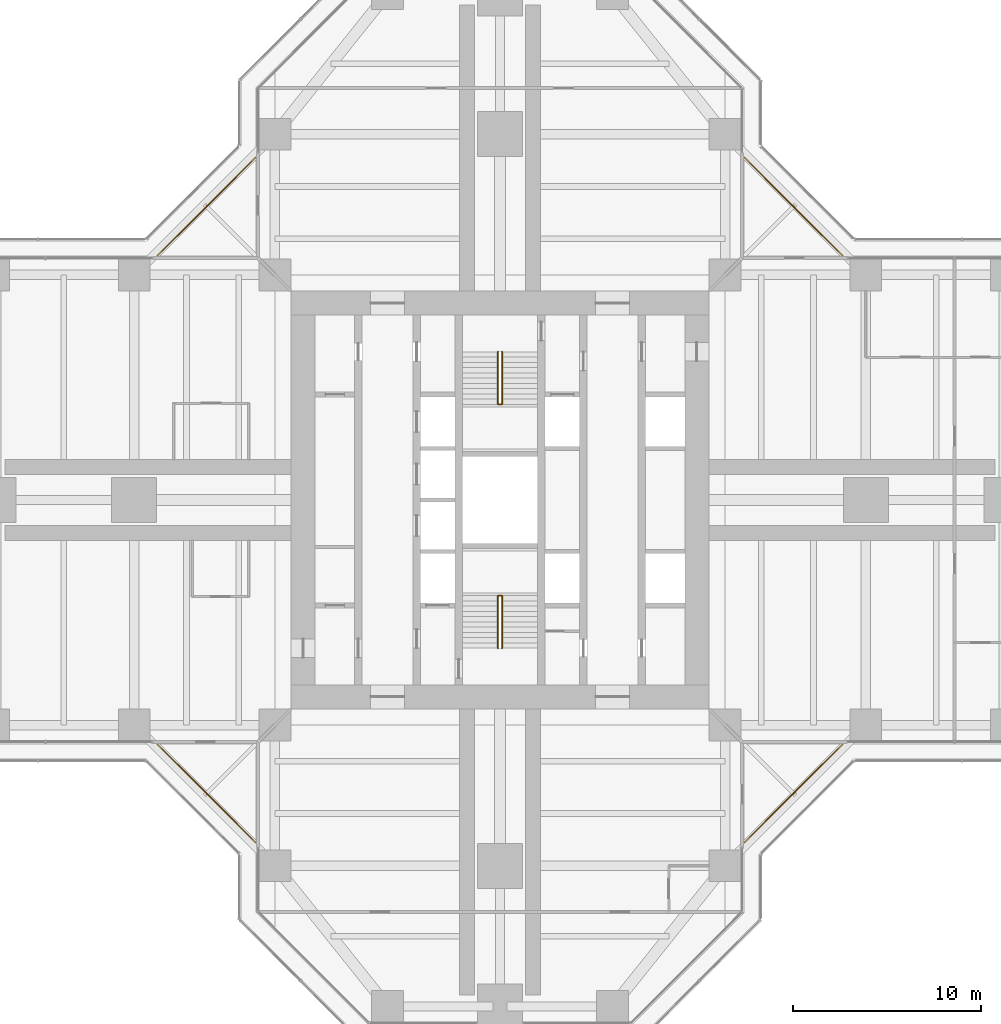
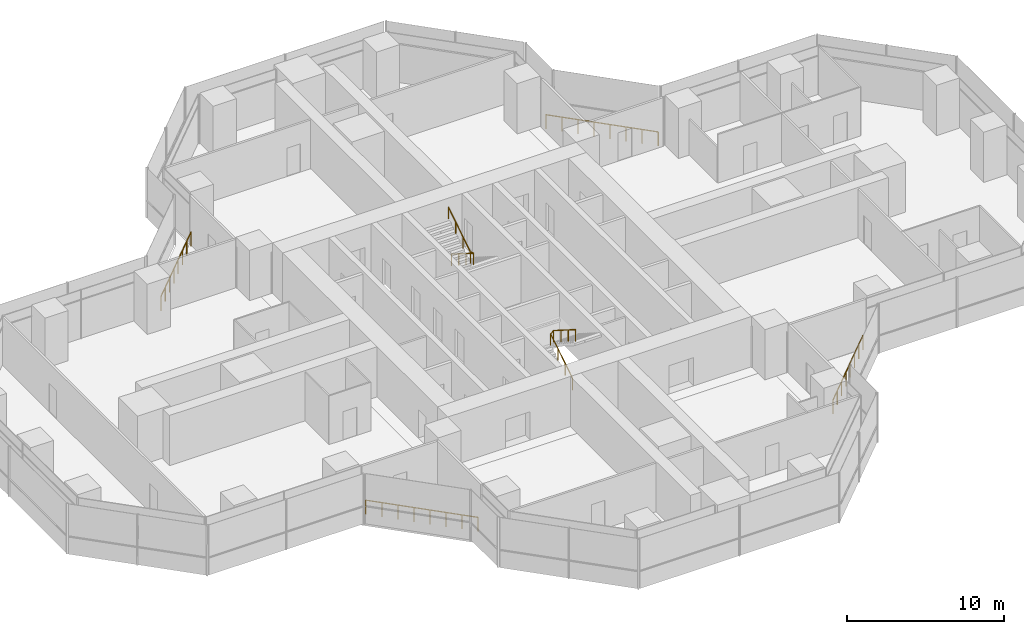
# One storey, part 19 of 19: 6 railings.
"""IFC4 building model written with IfcOpenShell, lengths in metres."""

from ifc_helpers import new_model, si_unit, direction, frame, origin, origin_2d, place, context, subcontext, project, spatial, circle, extrude, material, type_object, element, save


model = new_model("IFC4")

# Units and contexts
model_context = context("Model", 3, precision=1e-05, world=origin(), true_north=direction((0.0, 1.0)))
body_context = subcontext(model_context, "Body", "Model", "MODEL_VIEW")
ifc_project = project(units=[si_unit("LENGTHUNIT", "METRE"), si_unit("AREAUNIT", "SQUARE_METRE"), si_unit("VOLUMEUNIT", "CUBIC_METRE"), si_unit("PLANEANGLEUNIT", "RADIAN"), si_unit("MASSUNIT", "GRAM", prefix="KILO")], contexts=[model_context])

# Site, building, storey
site_placement = place(None, origin())
site = spatial("IfcSite", under=ifc_project, at=site_placement, CompositionType="ELEMENT")
building_placement = place(site_placement, origin())
building = spatial("IfcBuilding", under=site, at=building_placement, Name="Mizan Broadcast Tower", CompositionType="ELEMENT")
storey_placement = place(building_placement, frame((0.0, 0.0, 128.10009765625)))
storey = spatial("IfcBuildingStorey", under=building, at=storey_placement, Name="L28", CompositionType="ELEMENT", Elevation=128.10009765625)

# Railings
ifc_material_1 = material(Name="Stainless steel and glass guard", Category="steel")
railing_type_1 = type_object("IfcRailingType", Name="GUARD 1100", PredefinedType="GUARDRAIL", material=ifc_material_1)
railing_1_placement = place(storey_placement, frame((18.2578125, 13.030029296875, 0.0)))
element("IfcRailing", 1, at=railing_1_placement, inside=storey, type_object=railing_type_1, Name="Winter garden guard L28 E", PredefinedType="GUARDRAIL", context=body_context, shape_type="SweptSolid", body=[
    extrude(circle(Radius=0.02392578125, at=origin_2d()), frame((0.0, 0.0, 1.076171875), z_axis=(-0.707106781187, 0.707106781187, 0.0), x_axis=(-0.707106781187, -0.707106781187, 0.0)), (0.0, 0.0, 1.0), 7.393310546875),
    extrude(circle(Radius=0.02099609375, at=origin_2d()), origin(), (0.0, 0.0, 1.0), 1.052001953125),
    extrude(circle(Radius=0.02099609375, at=origin_2d()), frame((-0.746826171875, 0.746826171875, 0.0)), (0.0, 0.0, 1.0), 1.052001953125),
    extrude(circle(Radius=0.02099609375, at=origin_2d()), frame((-1.49365234375, 1.49365234375, 0.0)), (0.0, 0.0, 1.0), 1.052001953125),
    extrude(circle(Radius=0.02099609375, at=origin_2d()), frame((-2.240478515625, 2.240478515625, 0.0)), (0.0, 0.0, 1.0), 1.052001953125),
    extrude(circle(Radius=0.02099609375, at=origin_2d()), frame((-2.9873046875, 2.9873046875, 0.0)), (0.0, 0.0, 1.0), 1.052001953125),
    extrude(circle(Radius=0.02099609375, at=origin_2d()), frame((-3.734130859375, 3.734130859375, 0.0)), (0.0, 0.0, 1.0), 1.052001953125),
    extrude(circle(Radius=0.02099609375, at=origin_2d()), frame((-4.48095703125, 4.48095703125, 0.0)), (0.0, 0.0, 1.0), 1.052001953125),
    extrude(circle(Radius=0.02099609375, at=origin_2d()), frame((-5.227783203125, 5.227783203125, 0.0)), (0.0, 0.0, 1.0), 1.052001953125),
])
railing_2_placement = place(storey_placement, frame((-13.030029296875, 18.2578125, 0.0)))
element("IfcRailing", 2, at=railing_2_placement, inside=storey, type_object=railing_type_1, Name="Winter garden guard L28 N", PredefinedType="GUARDRAIL", context=body_context, shape_type="SweptSolid", body=[
    extrude(circle(Radius=0.02392578125, at=origin_2d()), frame((0.0, 0.0, 1.076171875), z_axis=(-0.707106781187, -0.707106781187, 0.0), x_axis=(0.707106781187, -0.707106781187, 0.0)), (0.0, 0.0, 1.0), 7.393310546875),
    extrude(circle(Radius=0.02099609375, at=origin_2d()), origin(), (0.0, 0.0, 1.0), 1.052001953125),
    extrude(circle(Radius=0.02099609375, at=origin_2d()), frame((-0.746826171875, -0.746826171875, 0.0)), (0.0, 0.0, 1.0), 1.052001953125),
    extrude(circle(Radius=0.02099609375, at=origin_2d()), frame((-1.49365234375, -1.49365234375, 0.0)), (0.0, 0.0, 1.0), 1.052001953125),
    extrude(circle(Radius=0.02099609375, at=origin_2d()), frame((-2.240478515625, -2.240478515625, 0.0)), (0.0, 0.0, 1.0), 1.052001953125),
    extrude(circle(Radius=0.02099609375, at=origin_2d()), frame((-2.9873046875, -2.9873046875, 0.0)), (0.0, 0.0, 1.0), 1.052001953125),
    extrude(circle(Radius=0.02099609375, at=origin_2d()), frame((-3.734130859375, -3.734130859375, 0.0)), (0.0, 0.0, 1.0), 1.052001953125),
    extrude(circle(Radius=0.02099609375, at=origin_2d()), frame((-4.48095703125, -4.48095703125, 0.0)), (0.0, 0.0, 1.0), 1.052001953125),
    extrude(circle(Radius=0.02099609375, at=origin_2d()), frame((-5.227783203125, -5.227783203125, 0.0)), (0.0, 0.0, 1.0), 1.052001953125),
])
railing_3_placement = place(storey_placement, frame((-18.2578125, -13.030029296875, 0.0)))
element("IfcRailing", 3, at=railing_3_placement, inside=storey, type_object=railing_type_1, Name="Winter garden guard L28 W", PredefinedType="GUARDRAIL", context=body_context, shape_type="SweptSolid", body=[
    extrude(circle(Radius=0.02392578125, at=origin_2d()), frame((0.0, 0.0, 1.076171875), z_axis=(0.707106781187, -0.707106781187, 0.0), x_axis=(0.707106781187, 0.707106781187, 0.0)), (0.0, 0.0, 1.0), 7.393310546875),
    extrude(circle(Radius=0.02099609375, at=origin_2d()), origin(), (0.0, 0.0, 1.0), 1.052001953125),
    extrude(circle(Radius=0.02099609375, at=origin_2d()), frame((0.746826171875, -0.746826171875, 0.0)), (0.0, 0.0, 1.0), 1.052001953125),
    extrude(circle(Radius=0.02099609375, at=origin_2d()), frame((1.49365234375, -1.49365234375, 0.0)), (0.0, 0.0, 1.0), 1.052001953125),
    extrude(circle(Radius=0.02099609375, at=origin_2d()), frame((2.240478515625, -2.240478515625, 0.0)), (0.0, 0.0, 1.0), 1.052001953125),
    extrude(circle(Radius=0.02099609375, at=origin_2d()), frame((2.9873046875, -2.9873046875, 0.0)), (0.0, 0.0, 1.0), 1.052001953125),
    extrude(circle(Radius=0.02099609375, at=origin_2d()), frame((3.734130859375, -3.734130859375, 0.0)), (0.0, 0.0, 1.0), 1.052001953125),
    extrude(circle(Radius=0.02099609375, at=origin_2d()), frame((4.48095703125, -4.48095703125, 0.0)), (0.0, 0.0, 1.0), 1.052001953125),
    extrude(circle(Radius=0.02099609375, at=origin_2d()), frame((5.227783203125, -5.227783203125, 0.0)), (0.0, 0.0, 1.0), 1.052001953125),
])
railing_4_placement = place(storey_placement, frame((13.030029296875, -18.2578125, 0.0)))
element("IfcRailing", 4, at=railing_4_placement, inside=storey, type_object=railing_type_1, Name="Winter garden guard L28 S", PredefinedType="GUARDRAIL", context=body_context, shape_type="SweptSolid", body=[
    extrude(circle(Radius=0.02392578125, at=origin_2d()), frame((0.0, 0.0, 1.076171875), z_axis=(0.707106781187, 0.707106781187, 0.0), x_axis=(-0.707106781187, 0.707106781187, 0.0)), (0.0, 0.0, 1.0), 7.393310546875),
    extrude(circle(Radius=0.02099609375, at=origin_2d()), origin(), (0.0, 0.0, 1.0), 1.052001953125),
    extrude(circle(Radius=0.02099609375, at=origin_2d()), frame((0.746826171875, 0.746826171875, 0.0)), (0.0, 0.0, 1.0), 1.052001953125),
    extrude(circle(Radius=0.02099609375, at=origin_2d()), frame((1.49365234375, 1.49365234375, 0.0)), (0.0, 0.0, 1.0), 1.052001953125),
    extrude(circle(Radius=0.02099609375, at=origin_2d()), frame((2.240478515625, 2.240478515625, 0.0)), (0.0, 0.0, 1.0), 1.052001953125),
    extrude(circle(Radius=0.02099609375, at=origin_2d()), frame((2.9873046875, 2.9873046875, 0.0)), (0.0, 0.0, 1.0), 1.052001953125),
    extrude(circle(Radius=0.02099609375, at=origin_2d()), frame((3.734130859375, 3.734130859375, 0.0)), (0.0, 0.0, 1.0), 1.052001953125),
    extrude(circle(Radius=0.02099609375, at=origin_2d()), frame((4.48095703125, 4.48095703125, 0.0)), (0.0, 0.0, 1.0), 1.052001953125),
    extrude(circle(Radius=0.02099609375, at=origin_2d()), frame((5.227783203125, 5.227783203125, 0.0)), (0.0, 0.0, 1.0), 1.052001953125),
])
ifc_material_2 = material(Name="Stainless steel", Category="steel")
railing_type_2 = type_object("IfcRailingType", Name="HANDRAIL 50", PredefinedType="HANDRAIL", material=ifc_material_2)
railing_5_placement = place(storey_placement, frame((-0.110107421875, -7.89990234375, 0.17724609375)))
element("IfcRailing", 5, at=railing_5_placement, inside=storey, type_object=railing_type_2, Name="Stair A handrail", PredefinedType="HANDRAIL", context=body_context, shape_type="SweptSolid", body=[
    extrude(circle(Radius=0.02392578125, at=origin_2d()), frame((0.0, 0.0, 0.8759765625), z_axis=(0.0, 0.844887892834, 0.53494340686), x_axis=(-1.0, 0.0, 0.0)), (0.0, 0.0, 1.0), 3.313720703125),
    extrude(circle(Radius=0.02392578125, at=origin_2d()), frame((0.0, 2.7998046875, 2.6484375), z_axis=(0.779011685263, 0.0, 0.627009405212), x_axis=(0.0, 1.0, 0.0)), (0.0, 0.0, 1.0), 0.28271484375),
    extrude(circle(Radius=0.02392578125, at=origin_2d()), frame((0.22021484375, 2.7998046875, 2.82568359375), z_axis=(0.0, -0.844887892834, 0.53494340686), x_axis=(1.0, 0.0, 0.0)), (0.0, 0.0, 1.0), 3.313720703125),
    extrude(circle(Radius=0.02099609375, at=origin_2d()), origin(), (0.0, 0.0, 1.0), 0.851806640625),
    extrude(circle(Radius=0.02099609375, at=origin_2d()), frame((0.0, 0.933349609375, 0.5908203125)), (0.0, 0.0, 1.0), 0.851806640625),
    extrude(circle(Radius=0.02099609375, at=origin_2d()), frame((0.0, 1.866455078125, 1.181884765625)), (0.0, 0.0, 1.0), 0.851806640625),
    extrude(circle(Radius=0.02099609375, at=origin_2d()), frame((0.0, 2.7998046875, 1.772705078125)), (0.0, 0.0, 1.0), 0.851806640625),
    extrude(circle(Radius=0.02099609375, at=origin_2d()), frame((0.22021484375, 2.7998046875, 1.949951171875)), (0.0, 0.0, 1.0), 0.851806640625),
    extrude(circle(Radius=0.02099609375, at=origin_2d()), frame((0.22021484375, 1.866455078125, 2.540771484375)), (0.0, 0.0, 1.0), 0.851806640625),
    extrude(circle(Radius=0.02099609375, at=origin_2d()), frame((0.22021484375, 0.933349609375, 3.1318359375)), (0.0, 0.0, 1.0), 0.851806640625),
    extrude(circle(Radius=0.02099609375, at=origin_2d()), frame((0.22021484375, 0.0, 3.72265625)), (0.0, 0.0, 1.0), 0.851806640625),
])
railing_6_placement = place(storey_placement, frame((0.110107421875, 7.89990234375, 0.17724609375)))
element("IfcRailing", 6, at=railing_6_placement, inside=storey, type_object=railing_type_2, Name="Stair B handrail", PredefinedType="HANDRAIL", context=body_context, shape_type="SweptSolid", body=[
    extrude(circle(Radius=0.02392578125, at=origin_2d()), frame((0.0, 0.0, 0.8759765625), z_axis=(0.0, -0.844887892834, 0.53494340686), x_axis=(1.0, 0.0, 0.0)), (0.0, 0.0, 1.0), 3.313720703125),
    extrude(circle(Radius=0.02392578125, at=origin_2d()), frame((0.0, -2.7998046875, 2.6484375), z_axis=(-0.779011685263, 0.0, 0.627009405212), x_axis=(0.0, -1.0, 0.0)), (0.0, 0.0, 1.0), 0.28271484375),
    extrude(circle(Radius=0.02392578125, at=origin_2d()), frame((-0.22021484375, -2.7998046875, 2.82568359375), z_axis=(0.0, 0.844887892834, 0.53494340686), x_axis=(-1.0, 0.0, 0.0)), (0.0, 0.0, 1.0), 3.313720703125),
    extrude(circle(Radius=0.02099609375, at=origin_2d()), origin(), (0.0, 0.0, 1.0), 0.851806640625),
    extrude(circle(Radius=0.02099609375, at=origin_2d()), frame((0.0, -0.933349609375, 0.5908203125)), (0.0, 0.0, 1.0), 0.851806640625),
    extrude(circle(Radius=0.02099609375, at=origin_2d()), frame((0.0, -1.866455078125, 1.181884765625)), (0.0, 0.0, 1.0), 0.851806640625),
    extrude(circle(Radius=0.02099609375, at=origin_2d()), frame((0.0, -2.7998046875, 1.772705078125)), (0.0, 0.0, 1.0), 0.851806640625),
    extrude(circle(Radius=0.02099609375, at=origin_2d()), frame((-0.22021484375, -2.7998046875, 1.949951171875)), (0.0, 0.0, 1.0), 0.851806640625),
    extrude(circle(Radius=0.02099609375, at=origin_2d()), frame((-0.22021484375, -1.866455078125, 2.540771484375)), (0.0, 0.0, 1.0), 0.851806640625),
    extrude(circle(Radius=0.02099609375, at=origin_2d()), frame((-0.22021484375, -0.933349609375, 3.1318359375)), (0.0, 0.0, 1.0), 0.851806640625),
    extrude(circle(Radius=0.02099609375, at=origin_2d()), frame((-0.22021484375, 0.0, 3.72265625)), (0.0, 0.0, 1.0), 0.851806640625),
])

save(model, "model.ifc")
